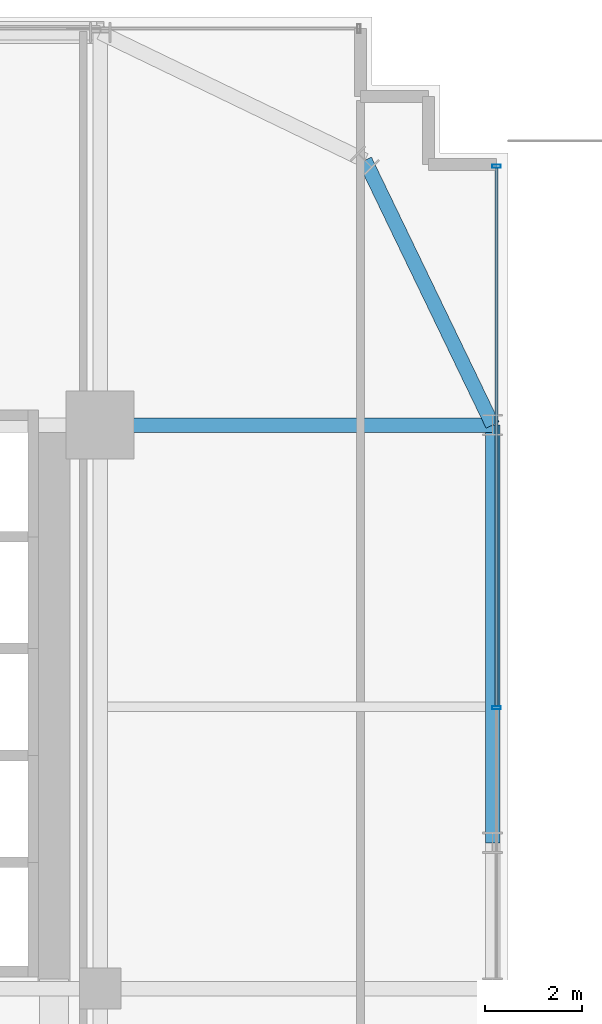
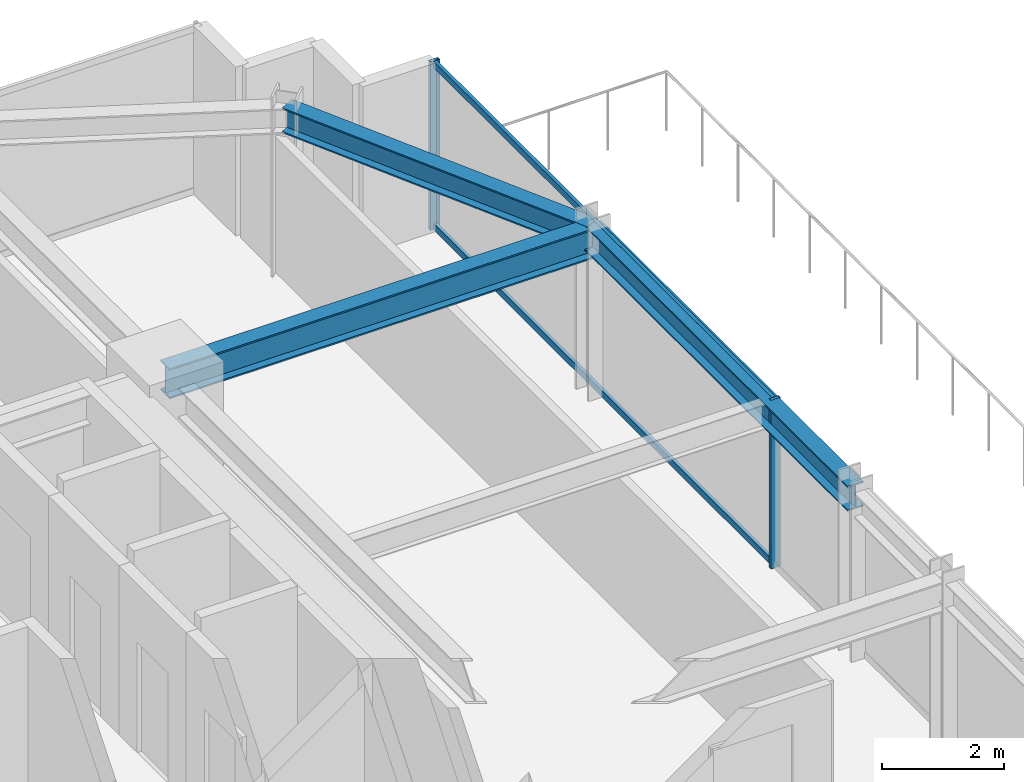
# One storey, part 26 of 39: 4 members, 3 beams, 1 element without a shape of its own.
"""IFC4 building model written with IfcOpenShell, lengths in metres."""

from ifc_helpers import new_model, si_unit, direction, frame, origin, origin_2d, place, context, subcontext, project, spatial, hollow_rectangle, i_section, extrude, source, transform, mapped, material, material_profile, profile_set, type_object, element, aggregate, save


model = new_model("IFC4")

# Units and contexts
model_context = context("Model", 3, precision=1e-05, world=origin(), true_north=direction((0.0, 1.0)))
body_context = subcontext(model_context, "Body", "Model", "MODEL_VIEW")
ifc_project = project(units=[si_unit("LENGTHUNIT", "METRE"), si_unit("AREAUNIT", "SQUARE_METRE"), si_unit("VOLUMEUNIT", "CUBIC_METRE"), si_unit("PLANEANGLEUNIT", "RADIAN"), si_unit("MASSUNIT", "GRAM", prefix="KILO")], contexts=[model_context])

# Site, building, storey
site_placement = place(None, origin())
site = spatial("IfcSite", under=ifc_project, at=site_placement, CompositionType="ELEMENT")
building_placement = place(site_placement, origin())
building = spatial("IfcBuilding", under=site, at=building_placement, Name="Nahalor Promenade Grand Hotel", CompositionType="ELEMENT")
storey_placement = place(building_placement, frame((0.0, 0.0, 32.39990234375)))
storey = spatial("IfcBuildingStorey", under=building, at=storey_placement, Name="L06", CompositionType="ELEMENT", Elevation=32.39990234375)

# Beams
ifc_material_1 = material(Name="Steel S355JR", Category="steel")
ifc_material_profile_1 = material_profile(ifc_material_1, i_section(OverallWidth=0.3, OverallDepth=0.5, WebThickness=0.0145, FlangeThickness=0.028, at=origin_2d()), Name="HEB 500")
ifc_profile_set_1 = profile_set([ifc_material_profile_1], Name="Steel S355JR")
beam_type_1 = type_object("IfcBeamType", Name="Beam-Spandrel-HEB500", PredefinedType="SPANDREL", material=ifc_profile_set_1)
shared_shape_1 = source(origin(), body_context, "Body", "SweptSolid", [
    extrude(i_section(OverallWidth=0.3, OverallDepth=0.5, WebThickness=0.0145, FlangeThickness=0.028, at=origin_2d()), origin(), (0.0, 0.0, 1.0), 8.60009765625),
])
beam_1_placement = place(storey_placement, frame((25.080078125, 8.39990234375, 3.1201171875), z_axis=(0.0, 1.0, 0.0), x_axis=(-1.0, 0.0, 0.0)))
element("IfcBeam", 1, at=beam_1_placement, inside=storey, type_object=beam_type_1, Name="BM-L06-SP-E-4", PredefinedType="SPANDREL", context=body_context, shape_type="MappedRepresentation", body=[
    mapped(shared_shape_1, transform((0.0, 0.0, 0.0), scale=1.0)),
])
ifc_material_profile_2 = material_profile(ifc_material_1, i_section(OverallWidth=0.3, OverallDepth=0.6, WebThickness=0.0155, FlangeThickness=0.03, at=origin_2d()), Name="HEB 600")
ifc_profile_set_2 = profile_set([ifc_material_profile_2], Name="Steel S355JR")
beam_type_2 = type_object("IfcBeamType", Name="Beam-Girder-HEB600", PredefinedType="BEAM", material=ifc_profile_set_2)
shared_shape_2 = source(origin(), body_context, "Body", "SweptSolid", [
    extrude(i_section(OverallWidth=0.3, OverallDepth=0.6, WebThickness=0.0155, FlangeThickness=0.03, at=origin_2d()), origin(), (0.0, 0.0, 1.0), 8.080078125),
])
beam_2_placement = place(storey_placement, frame((17.0, 17.0, 3.070068359375), z_axis=(1.0, 0.0, 0.0), x_axis=(0.0, 1.0, 0.0)))
element("IfcBeam", 2, at=beam_2_placement, inside=storey, type_object=beam_type_2, Name="BM-L06-GX-3-6", PredefinedType="BEAM", context=body_context, shape_type="MappedRepresentation", body=[
    mapped(shared_shape_2, transform((0.0, 0.0, 0.0), scale=1.0)),
])
shared_shape_3 = source(origin(), body_context, "Body", "SweptSolid", [
    extrude(i_section(OverallWidth=0.3, OverallDepth=0.5, WebThickness=0.0145, FlangeThickness=0.028, at=origin_2d()), origin(), (0.0, 0.0, 1.0), 6.051513671875),
])
beam_3_placement = place(storey_placement, frame((22.449951171875, 22.449951171875, 3.1201171875), z_axis=(0.434630596492, -0.900608818852, 0.0), x_axis=(0.900608818852, 0.434630596492, 0.0)))
element("IfcBeam", 3, at=beam_3_placement, inside=storey, type_object=beam_type_1, Name="BM-L06-SPC-NE-2", PredefinedType="SPANDREL", context=body_context, shape_type="MappedRepresentation", body=[
    mapped(shared_shape_3, transform((0.0, 0.0, 0.0), scale=1.0)),
])

# Curtain wall, members
ifc_material_2 = material(Name="Anodised Bronze Aluminium EN AW-6063 T6", Category="aluminium")
curtain_wall_type = type_object("IfcCurtainWallType", Name="CW2 Typical Hotel Flush Bronze Unitised Curtain Wall", PredefinedType="USERDEFINED", material=ifc_material_2)
curtain_wall_placement = place(storey_placement, origin())
curtain_wall = element("IfcCurtainWall", 4, at=curtain_wall_placement, inside=storey, type_object=curtain_wall_type, Name="L06 Curtain Wall CW-L06-E-1", ObjectType="UNITISED_CURTAIN_WALL", PredefinedType="USERDEFINED")
ifc_material_profile_3 = material_profile(ifc_material_2, hollow_rectangle(XDim=0.065, YDim=0.18, WallThickness=0.004, at=origin_2d()), Name="CWM 65x180x4")
ifc_profile_set_3 = profile_set([ifc_material_profile_3], Name="Anodised Bronze Aluminium EN AW-6063 T6")
member_type_1 = type_object("IfcMemberType", Name="CWM2 Typical Bronze Mullion 65x180", PredefinedType="MULLION", material=ifc_profile_set_3)
shared_shape_4 = source(origin(), body_context, "Body", "SweptSolid", [
    extrude(hollow_rectangle(XDim=0.065, YDim=0.18, WallThickness=0.004, at=origin_2d()), origin(), (0.0, 0.0, 1.0), 3.3701171875),
])
member_1_placement = place(storey_placement, frame((25.159912109375, 11.179931640625, 0.0), z_axis=(0.0, 0.0, 1.0), x_axis=(0.0, 1.0, 0.0)))
member_1 = element("IfcMember", 5, at=member_1_placement, type_object=member_type_1, Name="CW-L06-E-1 Mullion 3", PredefinedType="MULLION", context=body_context, shape_type="MappedRepresentation", body=[
    mapped(shared_shape_4, transform((0.0, 0.0, 0.0), scale=1.0)),
])
member_2_placement = place(storey_placement, frame((25.159912109375, 22.327392578125, 0.0), z_axis=(0.0, 0.0, 1.0), x_axis=(0.0, 1.0, 0.0)))
member_2 = element("IfcMember", 6, at=member_2_placement, type_object=member_type_1, Name="CW-L06-E-1 Mullion 4", PredefinedType="MULLION", context=body_context, shape_type="MappedRepresentation", body=[
    mapped(shared_shape_4, transform((0.0, 0.0, 0.0), scale=1.0)),
])
ifc_material_profile_4 = material_profile(ifc_material_2, hollow_rectangle(XDim=0.065, YDim=0.13, WallThickness=0.004, at=origin_2d()), Name="CWT 65x130x4")
ifc_profile_set_4 = profile_set([ifc_material_profile_4], Name="Anodised Bronze Aluminium EN AW-6063 T6")
member_type_2 = type_object("IfcMemberType", Name="CWT2 Typical Bronze Transom 65x130", PredefinedType="USERDEFINED", material=ifc_profile_set_4)
shared_shape_5 = source(origin(), body_context, "Body", "SweptSolid", [
    extrude(hollow_rectangle(XDim=0.065, YDim=0.13, WallThickness=0.004, at=origin_2d()), origin(), (0.0, 0.0, 1.0), 11.08251953125),
])
member_3_placement = place(storey_placement, frame((25.159912109375, 11.21240234375, 0.065185546875), z_axis=(0.0, 1.0, 0.0), x_axis=(-1.0, 0.0, 0.0)))
member_3 = element("IfcMember", 7, at=member_3_placement, type_object=member_type_2, Name="CW-L06-E-1 Transom 3-0", ObjectType="TRANSOM", PredefinedType="USERDEFINED", context=body_context, shape_type="MappedRepresentation", body=[
    mapped(shared_shape_5, transform((0.0, 0.0, 0.0), scale=1.0)),
])
member_4_placement = place(storey_placement, frame((25.159912109375, 11.21240234375, 3.30517578125), z_axis=(0.0, 1.0, 0.0), x_axis=(-1.0, 0.0, 0.0)))
member_4 = element("IfcMember", 8, at=member_4_placement, type_object=member_type_2, Name="CW-L06-E-1 Transom 3-1", ObjectType="TRANSOM", PredefinedType="USERDEFINED", context=body_context, shape_type="MappedRepresentation", body=[
    mapped(shared_shape_5, transform((0.0, 0.0, 0.0), scale=1.0)),
])
aggregate(curtain_wall, [member_1, member_2, member_3, member_4])

save(model, "model.ifc")
